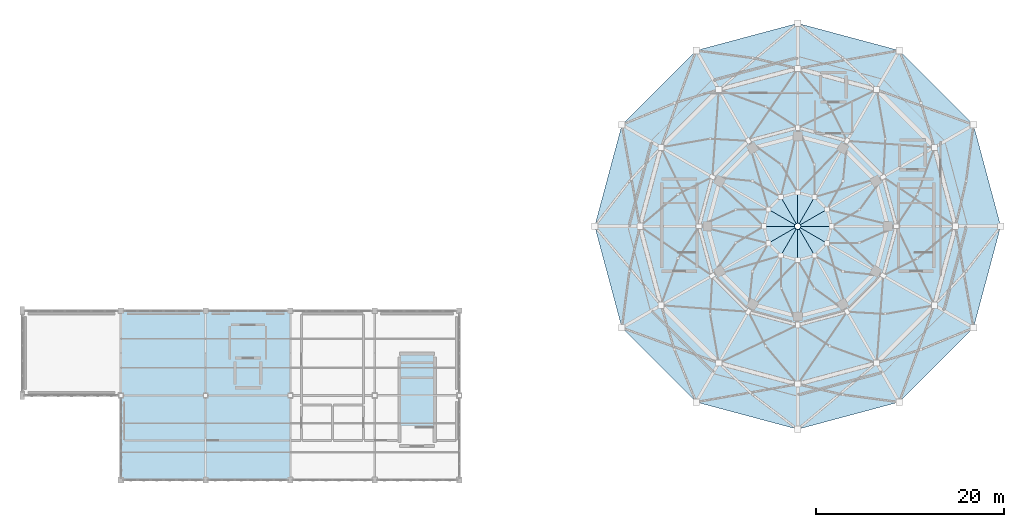
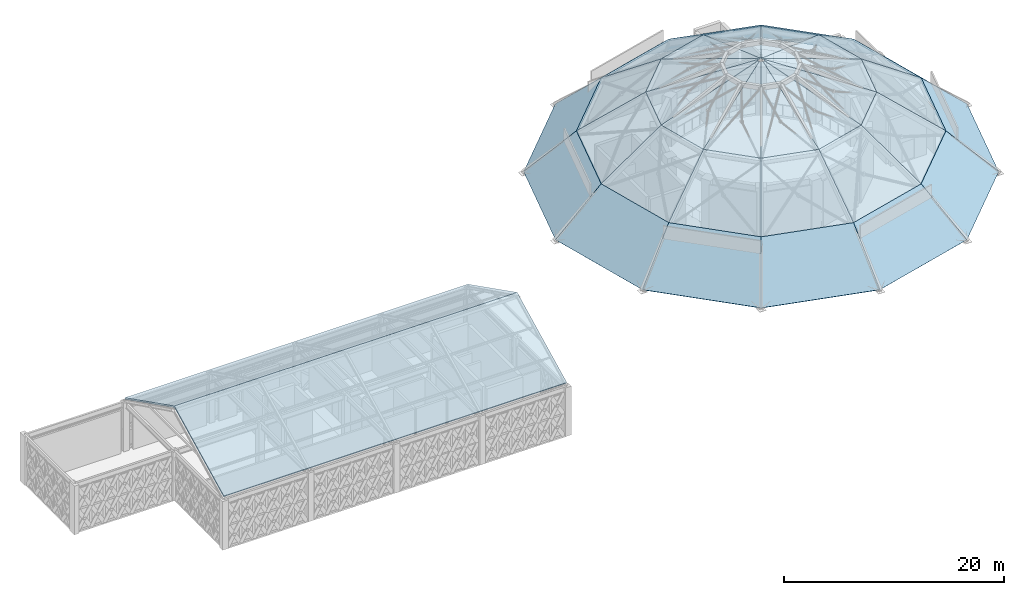
# One storey, part 29 of 32: 38 roofs.
"""IFC4 building model written with IfcOpenShell, lengths in metres."""

from ifc_helpers import new_model, si_unit, direction, frame, origin, place, context, subcontext, project, spatial, polyline, outline, extrude, material, type_object, element, save


model = new_model("IFC4")

# Units and contexts
model_context = context("Model", 3, precision=1e-05, world=origin(), true_north=direction((0.0, 1.0)))
body_context = subcontext(model_context, "Body", "Model", "MODEL_VIEW")
ifc_project = project(units=[si_unit("LENGTHUNIT", "METRE"), si_unit("AREAUNIT", "SQUARE_METRE"), si_unit("VOLUMEUNIT", "CUBIC_METRE"), si_unit("PLANEANGLEUNIT", "RADIAN"), si_unit("MASSUNIT", "GRAM", prefix="KILO")], contexts=[model_context])

# Site, building, storey
site_placement = place(None, origin())
site = spatial("IfcSite", under=ifc_project, at=site_placement, CompositionType="ELEMENT")
building_placement = place(site_placement, origin())
building = spatial("IfcBuilding", under=site, at=building_placement, Name="Haizhuo Lancet Aquarium", CompositionType="ELEMENT")
storey_placement = place(building_placement, frame((0.0, 0.0, 27.0)))
storey = spatial("IfcBuildingStorey", under=building, at=storey_placement, Name="L05", CompositionType="ELEMENT", Elevation=27.0)

# Roofs
ifc_material = material(Name="Standing-Seam Titanium Zinc", Category="steel")
roof_type_1 = type_object("IfcRoofType", Name="RFT-DOME_ROOF", PredefinedType="DOME_ROOF", material=ifc_material)
roof_1_placement = place(storey_placement, frame((21.60009765625, 0.0, 0.159912109375), z_axis=(0.675790987834, 0.181092014262, 0.714501380777), x_axis=(-0.258836030615, 0.965921274872, -2.200792e-06)))
element("IfcRoof", 1, at=roof_1_placement, inside=storey, type_object=roof_type_1, material=ifc_material, Name="Ocean Hall ribbed dome shell panel T1-1", PredefinedType="DOME_ROOF", context=body_context, shape_type="SweptSolid", body=[
    extrude(outline(polyline([(0.0, 0.0), (11.181079527204401, 0.0), (9.938693812866765, 6.4891939735906305), (1.2424155937453591, 6.48913144670705), (0.0, 0.0)])), origin(), (0.0, 0.0, -1.0), 0.159912109375),
])
roof_2_placement = place(storey_placement, frame((18.7060546875, 10.800048828125, 0.159912109375), z_axis=(0.494711903961, 0.494711903961, 0.714507007775), x_axis=(-0.707106781187, 0.707106781187, 0.0)))
element("IfcRoof", 2, at=roof_2_placement, inside=storey, type_object=roof_type_1, material=ifc_material, Name="Ocean Hall ribbed dome shell panel T1-2", PredefinedType="DOME_ROOF", context=body_context, shape_type="SweptSolid", body=[
    extrude(outline(polyline([(0.0, 0.0), (11.180780710529282, 0.0), (9.938510105690806, 6.489216010861062), (1.2422706048384757, 6.489216010861062), (0.0, 0.0)])), origin(), (0.0, 0.0, -1.0), 0.159912109375),
])
roof_3_placement = place(storey_placement, frame((10.800048828125, 18.7060546875, 0.159912109375), z_axis=(0.181092014262, 0.675790987834, 0.714501380777), x_axis=(-0.965921274872, 0.258836030615, 2.200792e-06)))
element("IfcRoof", 3, at=roof_3_placement, inside=storey, type_object=roof_type_1, material=ifc_material, Name="Ocean Hall ribbed dome shell panel T1-3", PredefinedType="DOME_ROOF", context=body_context, shape_type="SweptSolid", body=[
    extrude(outline(polyline([(0.0, 0.0), (11.181079527204401, 0.0), (9.938663933459042, 6.48913144670705), (1.2423857143376373, 6.4891939735906305), (0.0, 0.0)])), origin(), (0.0, 0.0, -1.0), 0.159912109375),
])
roof_4_placement = place(storey_placement, frame((0.0, 21.60009765625, 0.159912109375), z_axis=(-0.181092014262, 0.675790987834, 0.714501380777), x_axis=(-0.965921274872, -0.258836030615, -2.200792e-06)))
element("IfcRoof", 4, at=roof_4_placement, inside=storey, type_object=roof_type_1, material=ifc_material, Name="Ocean Hall ribbed dome shell panel T1-4", PredefinedType="DOME_ROOF", context=body_context, shape_type="SweptSolid", body=[
    extrude(outline(polyline([(0.0, 0.0), (11.181079527204401, 0.0), (9.938693812866765, 6.4891939735906305), (1.2424155937453591, 6.48913144670705), (0.0, 0.0)])), origin(), (0.0, 0.0, -1.0), 0.159912109375),
])
roof_5_placement = place(storey_placement, frame((-10.800048828125, 18.7060546875, 0.159912109375), z_axis=(-0.494711903961, 0.494711903961, 0.714507007775), x_axis=(-0.707106781187, -0.707106781187, 0.0)))
element("IfcRoof", 5, at=roof_5_placement, inside=storey, type_object=roof_type_1, material=ifc_material, Name="Ocean Hall ribbed dome shell panel T1-5", PredefinedType="DOME_ROOF", context=body_context, shape_type="SweptSolid", body=[
    extrude(outline(polyline([(0.0, 0.0), (11.180780710529282, 0.0), (9.938510105690806, 6.489216010861062), (1.2422706048384757, 6.489216010861062), (0.0, 0.0)])), origin(), (0.0, 0.0, -1.0), 0.159912109375),
])
roof_6_placement = place(storey_placement, frame((-18.7060546875, 10.800048828125, 0.159912109375), z_axis=(-0.675790987834, 0.181092014262, 0.714501380777), x_axis=(-0.258836030615, -0.965921274872, 2.200792e-06)))
element("IfcRoof", 6, at=roof_6_placement, inside=storey, type_object=roof_type_1, material=ifc_material, Name="Ocean Hall ribbed dome shell panel T1-6", PredefinedType="DOME_ROOF", context=body_context, shape_type="SweptSolid", body=[
    extrude(outline(polyline([(0.0, 0.0), (11.181079527204401, 0.0), (9.938663933459042, 6.48913144670705), (1.2423857143376373, 6.4891939735906305), (0.0, 0.0)])), origin(), (0.0, 0.0, -1.0), 0.159912109375),
])
roof_7_placement = place(storey_placement, frame((-21.60009765625, 0.0, 0.159912109375), z_axis=(-0.675790987834, -0.181092014262, 0.714501380777), x_axis=(0.258836030615, -0.965921274872, -2.200792e-06)))
element("IfcRoof", 7, at=roof_7_placement, inside=storey, type_object=roof_type_1, material=ifc_material, Name="Ocean Hall ribbed dome shell panel T1-7", PredefinedType="DOME_ROOF", context=body_context, shape_type="SweptSolid", body=[
    extrude(outline(polyline([(0.0, 0.0), (11.181079527204401, 0.0), (9.938693812866765, 6.4891939735906305), (1.2424155937453591, 6.48913144670705), (0.0, 0.0)])), origin(), (0.0, 0.0, -1.0), 0.159912109375),
])
roof_8_placement = place(storey_placement, frame((-18.7060546875, -10.800048828125, 0.159912109375), z_axis=(-0.494711903961, -0.494711903961, 0.714507007775), x_axis=(0.707106781187, -0.707106781187, 0.0)))
element("IfcRoof", 8, at=roof_8_placement, inside=storey, type_object=roof_type_1, material=ifc_material, Name="Ocean Hall ribbed dome shell panel T1-8", PredefinedType="DOME_ROOF", context=body_context, shape_type="SweptSolid", body=[
    extrude(outline(polyline([(0.0, 0.0), (11.180780710529282, 0.0), (9.938510105690806, 6.489216010861062), (1.2422706048384757, 6.489216010861062), (0.0, 0.0)])), origin(), (0.0, 0.0, -1.0), 0.159912109375),
])
roof_9_placement = place(storey_placement, frame((-10.800048828125, -18.7060546875, 0.159912109375), z_axis=(-0.181092014262, -0.675790987834, 0.714501380777), x_axis=(0.965921274872, -0.258836030615, 2.200792e-06)))
element("IfcRoof", 9, at=roof_9_placement, inside=storey, type_object=roof_type_1, material=ifc_material, Name="Ocean Hall ribbed dome shell panel T1-9", PredefinedType="DOME_ROOF", context=body_context, shape_type="SweptSolid", body=[
    extrude(outline(polyline([(0.0, 0.0), (11.181079527204401, 0.0), (9.938663933459042, 6.48913144670705), (1.2423857143376373, 6.4891939735906305), (0.0, 0.0)])), origin(), (0.0, 0.0, -1.0), 0.159912109375),
])
roof_10_placement = place(storey_placement, frame((0.0, -21.60009765625, 0.159912109375), z_axis=(0.181092014262, -0.675790987834, 0.714501380777), x_axis=(0.965921274872, 0.258836030615, -2.200792e-06)))
element("IfcRoof", 10, at=roof_10_placement, inside=storey, type_object=roof_type_1, material=ifc_material, Name="Ocean Hall ribbed dome shell panel T1-10", PredefinedType="DOME_ROOF", context=body_context, shape_type="SweptSolid", body=[
    extrude(outline(polyline([(0.0, 0.0), (11.181079527204401, 0.0), (9.938693812866765, 6.4891939735906305), (1.2424155937453591, 6.48913144670705), (0.0, 0.0)])), origin(), (0.0, 0.0, -1.0), 0.159912109375),
])
roof_11_placement = place(storey_placement, frame((10.800048828125, -18.7060546875, 0.159912109375), z_axis=(0.494711903961, -0.494711903961, 0.714507007775), x_axis=(0.707106781187, 0.707106781187, 0.0)))
element("IfcRoof", 11, at=roof_11_placement, inside=storey, type_object=roof_type_1, material=ifc_material, Name="Ocean Hall ribbed dome shell panel T1-11", PredefinedType="DOME_ROOF", context=body_context, shape_type="SweptSolid", body=[
    extrude(outline(polyline([(0.0, 0.0), (11.180780710529282, 0.0), (9.938510105690806, 6.489216010861062), (1.2422706048384757, 6.489216010861062), (0.0, 0.0)])), origin(), (0.0, 0.0, -1.0), 0.159912109375),
])
roof_12_placement = place(storey_placement, frame((18.7060546875, -10.800048828125, 0.159912109375), z_axis=(0.675790987834, -0.181092014262, 0.714501380777), x_axis=(0.258836030615, 0.965921274872, 2.200792e-06)))
element("IfcRoof", 12, at=roof_12_placement, inside=storey, type_object=roof_type_1, material=ifc_material, Name="Ocean Hall ribbed dome shell panel T1-12", PredefinedType="DOME_ROOF", context=body_context, shape_type="SweptSolid", body=[
    extrude(outline(polyline([(0.0, 0.0), (11.181079527204401, 0.0), (9.938663933459042, 6.48913144670705), (1.2423857143376373, 6.4891939735906305), (0.0, 0.0)])), origin(), (0.0, 0.0, -1.0), 0.159912109375),
])
roof_13_placement = place(storey_placement, frame((16.800048828125, 0.0, 4.699951171875), z_axis=(0.558280278309, 0.149610327489, 0.816051395906), x_axis=(-0.258846000756, 0.965918603134, -3.40812e-06)))
element("IfcRoof", 13, at=roof_13_placement, inside=storey, type_object=roof_type_1, material=ifc_material, Name="Ocean Hall ribbed dome shell panel T2-1", PredefinedType="DOME_ROOF", context=body_context, shape_type="SweptSolid", body=[
    extrude(outline(polyline([(0.0, 0.0), (8.696278219338547, -2.220446049250313e-16), (7.065992194022329, 7.457156970592095), (1.6307277545306693, 7.45707364236144), (0.0, 0.0)])), origin(), (0.0, 0.0, -1.0), 0.159912109375),
])
roof_14_placement = place(storey_placement, frame((14.549072265625, 8.39990234375, 4.699951171875), z_axis=(0.408695740636, 0.408695740636, 0.816048762741), x_axis=(-0.707106781187, 0.707106781187, 0.0)))
element("IfcRoof", 14, at=roof_14_placement, inside=storey, type_object=roof_type_1, material=ifc_material, Name="Ocean Hall ribbed dome shell panel T2-2", PredefinedType="DOME_ROOF", context=body_context, shape_type="SweptSolid", body=[
    extrude(outline(polyline([(0.0, 0.0), (8.69623950085233, 0.0), (7.065543540137456, 7.4570673386673185), (1.6306959607148754, 7.4570673386673185), (0.0, 0.0)])), origin(), (0.0, 0.0, -1.0), 0.159912109375),
])
roof_15_placement = place(storey_placement, frame((8.39990234375, 14.549072265625, 4.699951171875), z_axis=(0.149610327489, 0.558280278309, 0.816051395906), x_axis=(-0.965918603134, 0.258846000756, 3.40812e-06)))
element("IfcRoof", 15, at=roof_15_placement, inside=storey, type_object=roof_type_1, material=ifc_material, Name="Ocean Hall ribbed dome shell panel T2-3", PredefinedType="DOME_ROOF", context=body_context, shape_type="SweptSolid", body=[
    extrude(outline(polyline([(0.0, 0.0), (8.696278219338547, 2.220446049250313e-16), (7.065550464807878, 7.45707364236144), (1.6302860253162168, 7.457156970592097), (0.0, 0.0)])), origin(), (0.0, 0.0, -1.0), 0.159912109375),
])
roof_16_placement = place(storey_placement, frame((0.0, 16.800048828125, 4.699951171875), z_axis=(-0.149610327489, 0.558280278309, 0.816051395906), x_axis=(-0.965918603134, -0.258846000756, -3.40812e-06)))
element("IfcRoof", 16, at=roof_16_placement, inside=storey, type_object=roof_type_1, material=ifc_material, Name="Ocean Hall ribbed dome shell panel T2-4", PredefinedType="DOME_ROOF", context=body_context, shape_type="SweptSolid", body=[
    extrude(outline(polyline([(0.0, 0.0), (8.696278219338547, -2.220446049250313e-16), (7.065992194022329, 7.457156970592095), (1.6307277545306693, 7.45707364236144), (0.0, 0.0)])), origin(), (0.0, 0.0, -1.0), 0.159912109375),
])
roof_17_placement = place(storey_placement, frame((-8.39990234375, 14.549072265625, 4.699951171875), z_axis=(-0.408695740636, 0.408695740636, 0.816048762741), x_axis=(-0.707106781187, -0.707106781187, 0.0)))
element("IfcRoof", 17, at=roof_17_placement, inside=storey, type_object=roof_type_1, material=ifc_material, Name="Ocean Hall ribbed dome shell panel T2-5", PredefinedType="DOME_ROOF", context=body_context, shape_type="SweptSolid", body=[
    extrude(outline(polyline([(0.0, 0.0), (8.69623950085233, 0.0), (7.065543540137456, 7.4570673386673185), (1.6306959607148754, 7.4570673386673185), (0.0, 0.0)])), origin(), (0.0, 0.0, -1.0), 0.159912109375),
])
roof_18_placement = place(storey_placement, frame((-14.549072265625, 8.39990234375, 4.699951171875), z_axis=(-0.558280278309, 0.149610327489, 0.816051395906), x_axis=(-0.258846000756, -0.965918603134, 3.40812e-06)))
element("IfcRoof", 18, at=roof_18_placement, inside=storey, type_object=roof_type_1, material=ifc_material, Name="Ocean Hall ribbed dome shell panel T2-6", PredefinedType="DOME_ROOF", context=body_context, shape_type="SweptSolid", body=[
    extrude(outline(polyline([(0.0, 0.0), (8.696278219338547, 2.220446049250313e-16), (7.065550464807878, 7.45707364236144), (1.6302860253162168, 7.457156970592097), (0.0, 0.0)])), origin(), (0.0, 0.0, -1.0), 0.159912109375),
])
roof_19_placement = place(storey_placement, frame((-16.800048828125, 0.0, 4.699951171875), z_axis=(-0.558280278309, -0.149610327489, 0.816051395906), x_axis=(0.258846000756, -0.965918603134, -3.40812e-06)))
element("IfcRoof", 19, at=roof_19_placement, inside=storey, type_object=roof_type_1, material=ifc_material, Name="Ocean Hall ribbed dome shell panel T2-7", PredefinedType="DOME_ROOF", context=body_context, shape_type="SweptSolid", body=[
    extrude(outline(polyline([(0.0, 0.0), (8.696278219338547, -2.220446049250313e-16), (7.065992194022329, 7.457156970592095), (1.6307277545306693, 7.45707364236144), (0.0, 0.0)])), origin(), (0.0, 0.0, -1.0), 0.159912109375),
])
roof_20_placement = place(storey_placement, frame((-14.549072265625, -8.39990234375, 4.699951171875), z_axis=(-0.408695740636, -0.408695740636, 0.816048762741), x_axis=(0.707106781187, -0.707106781187, 0.0)))
element("IfcRoof", 20, at=roof_20_placement, inside=storey, type_object=roof_type_1, material=ifc_material, Name="Ocean Hall ribbed dome shell panel T2-8", PredefinedType="DOME_ROOF", context=body_context, shape_type="SweptSolid", body=[
    extrude(outline(polyline([(0.0, 0.0), (8.69623950085233, 0.0), (7.065543540137456, 7.4570673386673185), (1.6306959607148754, 7.4570673386673185), (0.0, 0.0)])), origin(), (0.0, 0.0, -1.0), 0.159912109375),
])
roof_21_placement = place(storey_placement, frame((-8.39990234375, -14.549072265625, 4.699951171875), z_axis=(-0.149610327489, -0.558280278309, 0.816051395906), x_axis=(0.965918603134, -0.258846000756, 3.40812e-06)))
element("IfcRoof", 21, at=roof_21_placement, inside=storey, type_object=roof_type_1, material=ifc_material, Name="Ocean Hall ribbed dome shell panel T2-9", PredefinedType="DOME_ROOF", context=body_context, shape_type="SweptSolid", body=[
    extrude(outline(polyline([(0.0, 0.0), (8.696278219338547, 2.220446049250313e-16), (7.065550464807878, 7.45707364236144), (1.6302860253162168, 7.457156970592097), (0.0, 0.0)])), origin(), (0.0, 0.0, -1.0), 0.159912109375),
])
roof_22_placement = place(storey_placement, frame((0.0, -16.800048828125, 4.699951171875), z_axis=(0.149610327489, -0.558280278309, 0.816051395906), x_axis=(0.965918603134, 0.258846000756, -3.40812e-06)))
element("IfcRoof", 22, at=roof_22_placement, inside=storey, type_object=roof_type_1, material=ifc_material, Name="Ocean Hall ribbed dome shell panel T2-10", PredefinedType="DOME_ROOF", context=body_context, shape_type="SweptSolid", body=[
    extrude(outline(polyline([(0.0, 0.0), (8.696278219338547, -2.220446049250313e-16), (7.065992194022329, 7.457156970592095), (1.6307277545306693, 7.45707364236144), (0.0, 0.0)])), origin(), (0.0, 0.0, -1.0), 0.159912109375),
])
roof_23_placement = place(storey_placement, frame((8.39990234375, -14.549072265625, 4.699951171875), z_axis=(0.408695740636, -0.408695740636, 0.816048762741), x_axis=(0.707106781187, 0.707106781187, 0.0)))
element("IfcRoof", 23, at=roof_23_placement, inside=storey, type_object=roof_type_1, material=ifc_material, Name="Ocean Hall ribbed dome shell panel T2-11", PredefinedType="DOME_ROOF", context=body_context, shape_type="SweptSolid", body=[
    extrude(outline(polyline([(0.0, 0.0), (8.69623950085233, 0.0), (7.065543540137456, 7.4570673386673185), (1.6306959607148754, 7.4570673386673185), (0.0, 0.0)])), origin(), (0.0, 0.0, -1.0), 0.159912109375),
])
roof_24_placement = place(storey_placement, frame((14.549072265625, -8.39990234375, 4.699951171875), z_axis=(0.558280278309, -0.149610327489, 0.816051395906), x_axis=(0.258846000756, 0.965918603134, 3.40812e-06)))
element("IfcRoof", 24, at=roof_24_placement, inside=storey, type_object=roof_type_1, material=ifc_material, Name="Ocean Hall ribbed dome shell panel T2-12", PredefinedType="DOME_ROOF", context=body_context, shape_type="SweptSolid", body=[
    extrude(outline(polyline([(0.0, 0.0), (8.696278219338547, 2.220446049250313e-16), (7.065550464807878, 7.45707364236144), (1.6302860253162168, 7.457156970592097), (0.0, 0.0)])), origin(), (0.0, 0.0, -1.0), 0.159912109375),
])
roof_25_placement = place(storey_placement, frame((10.5, 0.0, 9.010009765625), z_axis=(0.332131958559, 0.089022903793, 0.939022515547), x_axis=(-0.258865874294, 0.96591327716, -1.1474604e-05)))
element("IfcRoof", 25, at=roof_25_placement, inside=storey, type_object=roof_type_1, material=ifc_material, Name="Ocean Hall ribbed dome shell panel T3-1", PredefinedType="DOME_ROOF", context=body_context, shape_type="SweptSolid", body=[
    extrude(outline(polyline([(0.0, 0.0), (5.435264439845954, 0.0), (2.8087016741518953, 10.440776561782265), (2.6274221493807532, 10.440589135417893), (0.0, 0.0)])), origin(), (0.0, 0.0, -1.0), 0.159912109375),
])
roof_26_placement = place(storey_placement, frame((9.093017578125, 5.25, 9.010009765625), z_axis=(0.243142836351, 0.243142836351, 0.939022429052), x_axis=(-0.707106781187, 0.707106781187, 0.0)))
element("IfcRoof", 26, at=roof_26_placement, inside=storey, type_object=roof_type_1, material=ifc_material, Name="Ocean Hall ribbed dome shell panel T3-2", PredefinedType="DOME_ROOF", context=body_context, shape_type="SweptSolid", body=[
    extrude(outline(polyline([(0.0, 0.0), (5.434847579422581, 0.0), (2.807883739257617, 10.440675656396445), (2.6269638401649646, 10.440675656396445), (0.0, 0.0)])), origin(), (0.0, 0.0, -1.0), 0.159912109375),
])
roof_27_placement = place(storey_placement, frame((5.25, 9.093017578125, 9.010009765625), z_axis=(0.089022903793, 0.332131958559, 0.939022515547), x_axis=(-0.96591327716, 0.258865874294, 1.1474604e-05)))
element("IfcRoof", 27, at=roof_27_placement, inside=storey, type_object=roof_type_1, material=ifc_material, Name="Ocean Hall ribbed dome shell panel T3-3", PredefinedType="DOME_ROOF", context=body_context, shape_type="SweptSolid", body=[
    extrude(outline(polyline([(0.0, 0.0), (5.435264439845954, 0.0), (2.807842290465201, 10.440589135417893), (2.6265627656940596, 10.440776561782263), (0.0, 0.0)])), origin(), (0.0, 0.0, -1.0), 0.159912109375),
])
roof_28_placement = place(storey_placement, frame((0.0, 10.5, 9.010009765625), z_axis=(-0.089022903793, 0.332131958559, 0.939022515547), x_axis=(-0.96591327716, -0.258865874294, -1.1474604e-05)))
element("IfcRoof", 28, at=roof_28_placement, inside=storey, type_object=roof_type_1, material=ifc_material, Name="Ocean Hall ribbed dome shell panel T3-4", PredefinedType="DOME_ROOF", context=body_context, shape_type="SweptSolid", body=[
    extrude(outline(polyline([(0.0, 0.0), (5.435264439845954, 0.0), (2.8087016741518953, 10.440776561782265), (2.6274221493807532, 10.440589135417893), (0.0, 0.0)])), origin(), (0.0, 0.0, -1.0), 0.159912109375),
])
roof_29_placement = place(storey_placement, frame((-5.25, 9.093017578125, 9.010009765625), z_axis=(-0.243142836351, 0.243142836351, 0.939022429052), x_axis=(-0.707106781187, -0.707106781187, 0.0)))
element("IfcRoof", 29, at=roof_29_placement, inside=storey, type_object=roof_type_1, material=ifc_material, Name="Ocean Hall ribbed dome shell panel T3-5", PredefinedType="DOME_ROOF", context=body_context, shape_type="SweptSolid", body=[
    extrude(outline(polyline([(0.0, 0.0), (5.434847579422581, 0.0), (2.807883739257617, 10.440675656396445), (2.6269638401649646, 10.440675656396445), (0.0, 0.0)])), origin(), (0.0, 0.0, -1.0), 0.159912109375),
])
roof_30_placement = place(storey_placement, frame((-9.093017578125, 5.25, 9.010009765625), z_axis=(-0.332131958559, 0.089022903793, 0.939022515547), x_axis=(-0.258865874294, -0.96591327716, 1.1474604e-05)))
element("IfcRoof", 30, at=roof_30_placement, inside=storey, type_object=roof_type_1, material=ifc_material, Name="Ocean Hall ribbed dome shell panel T3-6", PredefinedType="DOME_ROOF", context=body_context, shape_type="SweptSolid", body=[
    extrude(outline(polyline([(0.0, 0.0), (5.435264439845954, 0.0), (2.807842290465201, 10.440589135417893), (2.6265627656940596, 10.440776561782263), (0.0, 0.0)])), origin(), (0.0, 0.0, -1.0), 0.159912109375),
])
roof_31_placement = place(storey_placement, frame((-10.5, 0.0, 9.010009765625), z_axis=(-0.332131958559, -0.089022903793, 0.939022515547), x_axis=(0.258865874294, -0.96591327716, -1.1474604e-05)))
element("IfcRoof", 31, at=roof_31_placement, inside=storey, type_object=roof_type_1, material=ifc_material, Name="Ocean Hall ribbed dome shell panel T3-7", PredefinedType="DOME_ROOF", context=body_context, shape_type="SweptSolid", body=[
    extrude(outline(polyline([(0.0, 0.0), (5.435264439845954, 0.0), (2.8087016741518953, 10.440776561782265), (2.6274221493807532, 10.440589135417893), (0.0, 0.0)])), origin(), (0.0, 0.0, -1.0), 0.159912109375),
])
roof_32_placement = place(storey_placement, frame((-9.093017578125, -5.25, 9.010009765625), z_axis=(-0.243142836351, -0.243142836351, 0.939022429052), x_axis=(0.707106781187, -0.707106781187, 0.0)))
element("IfcRoof", 32, at=roof_32_placement, inside=storey, type_object=roof_type_1, material=ifc_material, Name="Ocean Hall ribbed dome shell panel T3-8", PredefinedType="DOME_ROOF", context=body_context, shape_type="SweptSolid", body=[
    extrude(outline(polyline([(0.0, 0.0), (5.434847579422581, 0.0), (2.807883739257617, 10.440675656396445), (2.6269638401649646, 10.440675656396445), (0.0, 0.0)])), origin(), (0.0, 0.0, -1.0), 0.159912109375),
])
roof_33_placement = place(storey_placement, frame((-5.25, -9.093017578125, 9.010009765625), z_axis=(-0.089022903793, -0.332131958559, 0.939022515547), x_axis=(0.96591327716, -0.258865874294, 1.1474604e-05)))
element("IfcRoof", 33, at=roof_33_placement, inside=storey, type_object=roof_type_1, material=ifc_material, Name="Ocean Hall ribbed dome shell panel T3-9", PredefinedType="DOME_ROOF", context=body_context, shape_type="SweptSolid", body=[
    extrude(outline(polyline([(0.0, 0.0), (5.435264439845954, 0.0), (2.807842290465201, 10.440589135417893), (2.6265627656940596, 10.440776561782263), (0.0, 0.0)])), origin(), (0.0, 0.0, -1.0), 0.159912109375),
])
roof_34_placement = place(storey_placement, frame((0.0, -10.5, 9.010009765625), z_axis=(0.089022903793, -0.332131958559, 0.939022515547), x_axis=(0.96591327716, 0.258865874294, -1.1474604e-05)))
element("IfcRoof", 34, at=roof_34_placement, inside=storey, type_object=roof_type_1, material=ifc_material, Name="Ocean Hall ribbed dome shell panel T3-10", PredefinedType="DOME_ROOF", context=body_context, shape_type="SweptSolid", body=[
    extrude(outline(polyline([(0.0, 0.0), (5.435264439845954, 0.0), (2.8087016741518953, 10.440776561782265), (2.6274221493807532, 10.440589135417893), (0.0, 0.0)])), origin(), (0.0, 0.0, -1.0), 0.159912109375),
])
roof_35_placement = place(storey_placement, frame((5.25, -9.093017578125, 9.010009765625), z_axis=(0.243142836351, -0.243142836351, 0.939022429052), x_axis=(0.707106781187, 0.707106781187, 0.0)))
element("IfcRoof", 35, at=roof_35_placement, inside=storey, type_object=roof_type_1, material=ifc_material, Name="Ocean Hall ribbed dome shell panel T3-11", PredefinedType="DOME_ROOF", context=body_context, shape_type="SweptSolid", body=[
    extrude(outline(polyline([(0.0, 0.0), (5.434847579422581, 0.0), (2.807883739257617, 10.440675656396445), (2.6269638401649646, 10.440675656396445), (0.0, 0.0)])), origin(), (0.0, 0.0, -1.0), 0.159912109375),
])
roof_36_placement = place(storey_placement, frame((9.093017578125, -5.25, 9.010009765625), z_axis=(0.332131958559, -0.089022903793, 0.939022515547), x_axis=(0.258865874294, 0.96591327716, 1.1474604e-05)))
element("IfcRoof", 36, at=roof_36_placement, inside=storey, type_object=roof_type_1, material=ifc_material, Name="Ocean Hall ribbed dome shell panel T3-12", PredefinedType="DOME_ROOF", context=body_context, shape_type="SweptSolid", body=[
    extrude(outline(polyline([(0.0, 0.0), (5.435264439845954, 0.0), (2.807842290465201, 10.440589135417893), (2.6265627656940596, 10.440776561782263), (0.0, 0.0)])), origin(), (0.0, 0.0, -1.0), 0.159912109375),
])
roof_type_2 = type_object("IfcRoofType", Name="RFT-GABLE_ROOF", PredefinedType="GABLE_ROOF", material=ifc_material)
for number, where, z_axis, x_axis, name in (
    (37, (-72.0, -27.0, 5.739990234375), (0.0, -0.450388389741, 0.892832738192), (1.0, 0.0, 0.0), "V6 Gothic pitched roof 1 S"),
    (38, (-36.0, -9.0, 5.739990234375), (0.0, 0.450388389741, 0.892832738192), (-1.0, 0.0, 0.0), "V6 Gothic pitched roof 1 N"),
):
    element("IfcRoof", number, at=place(storey_placement, frame(where, z_axis=z_axis, x_axis=x_axis)), inside=storey, type_object=roof_type_2, material=ifc_material, Name=name, PredefinedType="GABLE_ROOF", context=body_context, shape_type="SweptSolid", body=[
        extrude(outline(polyline([(0.0, 0.0), (36.0, 0.0), (36.0, 10.080275526444), (0.0, 10.080275526444), (0.0, 0.0)])), origin(), (0.0, 0.0, -1.0), 0.159912109375),
    ])

save(model, "model.ifc")
